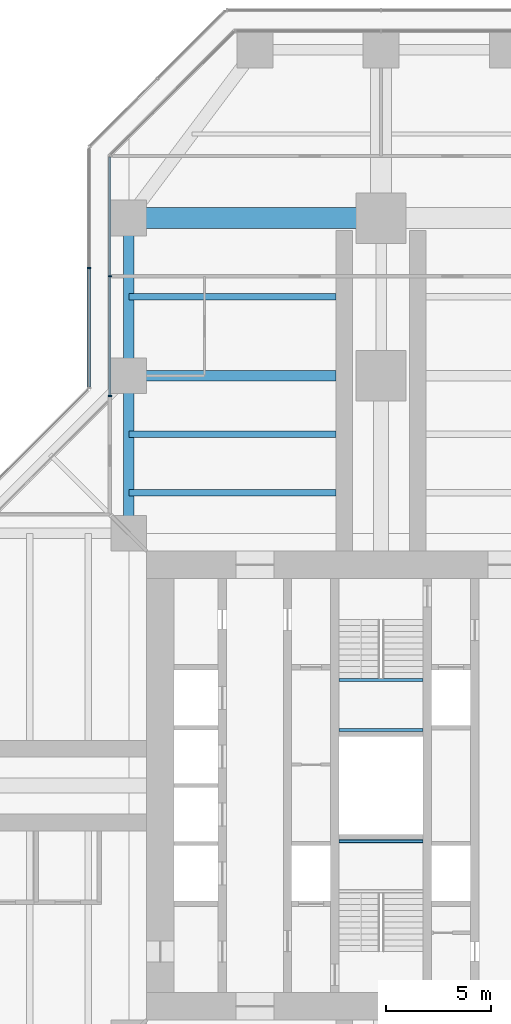
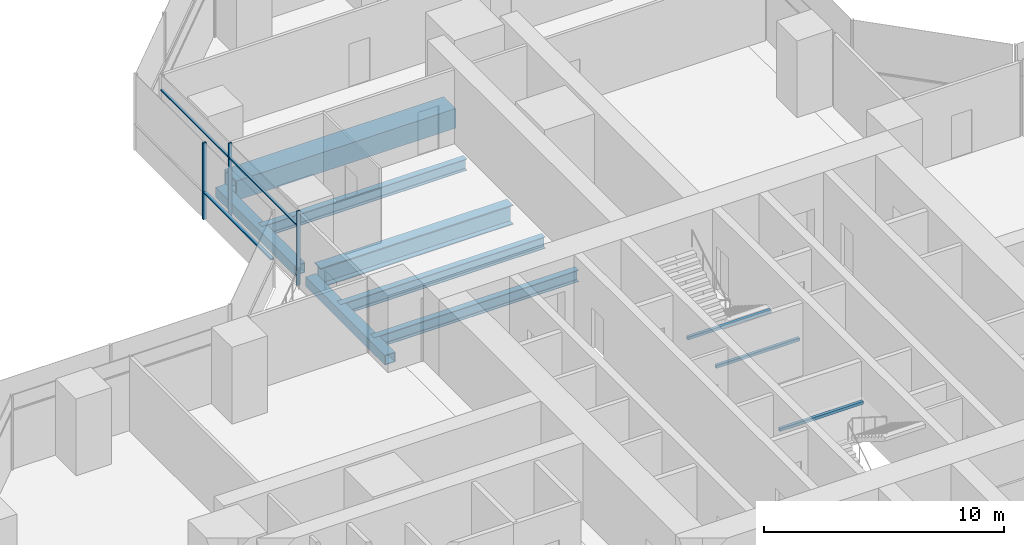
# One storey, part 9 of 22: 10 beams, 6 members, 2 elements without a shape of their own.
"""IFC4 building model written with IfcOpenShell, lengths in metres."""

from ifc_helpers import new_model, si_unit, direction, frame, origin, origin_2d, place, context, subcontext, project, spatial, rectangle, hollow_rectangle, i_section, extrude, material, material_profile, profile_set, type_object, element, aggregate, save


model = new_model("IFC4")

# Units and contexts
model_context = context("Model", 3, precision=1e-05, world=origin(), true_north=direction((0.0, 1.0)))
body_context = subcontext(model_context, "Body", "Model", "MODEL_VIEW")
ifc_project = project(units=[si_unit("LENGTHUNIT", "METRE"), si_unit("AREAUNIT", "SQUARE_METRE"), si_unit("VOLUMEUNIT", "CUBIC_METRE"), si_unit("PLANEANGLEUNIT", "RADIAN"), si_unit("MASSUNIT", "GRAM", prefix="KILO")], contexts=[model_context])

# Site, building, storey
site_placement = place(None, origin())
site = spatial("IfcSite", under=ifc_project, at=site_placement, CompositionType="ELEMENT")
building_placement = place(site_placement, origin())
building = spatial("IfcBuilding", under=site, at=building_placement, Name="Mizan Broadcast Tower", CompositionType="ELEMENT")
storey_placement = place(building_placement, frame((0.0, 0.0, 47.39990234375)))
storey = spatial("IfcBuildingStorey", under=building, at=storey_placement, Name="L08", CompositionType="ELEMENT", Elevation=47.39990234375)

# Beams
ifc_material_1 = material(Name="Steel S355", Category="steel")
ifc_material_profile_1 = material_profile(ifc_material_1, hollow_rectangle(XDim=0.5, YDim=0.5, WallThickness=0.030029296875, at=origin_2d()), Name="BOX 500x500x30")
ifc_profile_set_1 = profile_set([ifc_material_profile_1], Name="Steel S355")
beam_type_1 = type_object("IfcBeamType", Name="EDGE BEAM BOX 500x500x30", PredefinedType="SPANDREL", material=ifc_profile_set_1)
for number, where, z_axis, x_axis, name in (
    (1, (-12.0, 12.449951171875, -0.3798828125), (0.0, 1.0, 0.0), (-1.0, 0.0, 0.0), "Edge beam BOX 500x500x30 L08 north arm"),
    (2, (-12.0, 19.949951171875, -0.3798828125), (0.0, 1.0, 0.0), (-1.0, 0.0, 0.0), "Edge beam BOX 500x500x30 L08 north arm"),
):
    element("IfcBeam", number, at=place(storey_placement, frame(where, z_axis=z_axis, x_axis=x_axis)), inside=storey, type_object=beam_type_1, Name=name, PredefinedType="SPANDREL", context=body_context, shape_type="SweptSolid", body=[
        extrude(hollow_rectangle(XDim=0.5, YDim=0.5, WallThickness=0.030029296875, at=origin_2d()), origin(), (0.0, 0.0, 1.0), 6.60009765625),
    ])
ifc_material_2 = material(Name="Steel S460", Category="steel")
ifc_material_profile_2 = material_profile(ifc_material_2, hollow_rectangle(XDim=1.0, YDim=1.0, WallThickness=0.080078125, at=origin_2d()), Name="BOX 1000x1000x80")
ifc_profile_set_2 = profile_set([ifc_material_profile_2], Name="Steel S460")
beam_type_2 = type_object("IfcBeamType", Name="GIRDER BOX 1000x1000x80", PredefinedType="BEAM", material=ifc_profile_set_2)
beam_1_placement = place(storey_placement, frame((-11.280029296875, 27.0, -0.6298828125), z_axis=(1.0, 0.0, 0.0), x_axis=(0.0, 1.0, 0.0)))
element("IfcBeam", 3, at=beam_1_placement, inside=storey, type_object=beam_type_2, Name="Girder BOX 1000x1000x80 L08 north arm", PredefinedType="BEAM", context=body_context, shape_type="SweptSolid", body=[
    extrude(hollow_rectangle(XDim=1.0, YDim=1.0, WallThickness=0.080078125, at=origin_2d()), origin(), (0.0, 0.0, 1.0), 10.56005859375),
])
ifc_material_3 = material(Name="Steel S460", Category="steel")
ifc_material_profile_3 = material_profile(ifc_material_3, i_section(OverallWidth=0.5, OverallDepth=1.0, WebThickness=0.02490234375, FlangeThickness=0.050048828125, at=origin_2d()), Name="WPG 1000x500")
ifc_profile_set_3 = profile_set([ifc_material_profile_3], Name="Steel S460")
beam_type_3 = type_object("IfcBeamType", Name="GIRDER WPG 1000x500", PredefinedType="BEAM", material=ifc_profile_set_3)
beam_2_placement = place(storey_placement, frame((-11.408935546875, 19.5, -0.6298828125), z_axis=(1.0, 0.0, 0.0), x_axis=(0.0, 1.0, 0.0)))
element("IfcBeam", 4, at=beam_2_placement, inside=storey, type_object=beam_type_3, Name="Girder WPG 1000x500 L08 north arm", PredefinedType="BEAM", context=body_context, shape_type="SweptSolid", body=[
    extrude(i_section(OverallWidth=0.5, OverallDepth=1.0, WebThickness=0.02490234375, FlangeThickness=0.050048828125, at=origin_2d()), origin(), (0.0, 0.0, 1.0), 9.259033203125),
])

# Curtain wall, members
ifc_material_4 = material(Name="Aluminium framed glazing", Category="aluminium")
curtain_wall_type_1 = type_object("IfcCurtainWallType", Name="INNER SKIN LOW ZONE", PredefinedType="USERDEFINED", material=ifc_material_4)
curtain_wall_1_placement = place(storey_placement, origin())
curtain_wall_1 = element("IfcCurtainWall", 5, at=curtain_wall_1_placement, inside=storey, type_object=curtain_wall_type_1, Name="Inner skin low zone L08 N side", ObjectType="INNER SKIN LOW ZONE", PredefinedType="USERDEFINED")
ifc_material_5 = material(Name="Aluminium, pale anodised", Category="aluminium")
ifc_material_profile_4 = material_profile(ifc_material_5, rectangle(XDim=0.159912109375, YDim=0.06005859375, at=origin_2d()), Name="MULLION 160x60")
ifc_profile_set_4 = profile_set([ifc_material_profile_4], Name="Aluminium, pale anodised")
member_type_1 = type_object("IfcMemberType", Name="INNER SKIN MULLION 60x160", PredefinedType="MULLION", material=ifc_profile_set_4)
member_1_placement = place(storey_placement, frame((-12.89990234375, 24.229248046875, 0.0), z_axis=(0.0, 0.0, 1.0), x_axis=(1.0, 0.0, 0.0)))
member_1 = element("IfcMember", 6, at=member_1_placement, type_object=member_type_1, Name="Inner skin low zone L08 N side mullion 2", PredefinedType="MULLION", context=body_context, shape_type="SweptSolid", body=[
    extrude(rectangle(XDim=0.159912109375, YDim=0.06005859375, at=origin_2d()), origin(), (0.0, 0.0, 1.0), 3.77001953125),
])
member_2_placement = place(storey_placement, frame((-12.89990234375, 18.530029296875, 0.0), z_axis=(0.0, 0.0, 1.0), x_axis=(1.0, 0.0, 0.0)))
member_2 = element("IfcMember", 7, at=member_2_placement, type_object=member_type_1, Name="Inner skin low zone L08 N side mullion 3", PredefinedType="MULLION", context=body_context, shape_type="SweptSolid", body=[
    extrude(rectangle(XDim=0.159912109375, YDim=0.06005859375, at=origin_2d()), origin(), (0.0, 0.0, 1.0), 3.77001953125),
])
ifc_material_6 = material(Name="Aluminium, pale anodised", Category="aluminium")
ifc_material_profile_5 = material_profile(ifc_material_6, rectangle(XDim=0.1201171875, YDim=0.06005859375, at=origin_2d()), Name="TRANSOM 120x60")
ifc_profile_set_5 = profile_set([ifc_material_profile_5], Name="Aluminium, pale anodised")
member_type_2 = type_object("IfcMemberType", Name="INNER SKIN TRANSOM 60x120", PredefinedType="USERDEFINED", material=ifc_profile_set_5)
member_3_placement = place(storey_placement, frame((-12.89990234375, 29.898681640625, 3.030029296875), z_axis=(0.0, -1.0, 0.0), x_axis=(1.0, 0.0, 0.0)))
member_3 = element("IfcMember", 8, at=member_3_placement, type_object=member_type_2, Name="Inner skin low zone L08 N side transom 1.1", ObjectType="TRANSOM", PredefinedType="USERDEFINED", context=body_context, shape_type="SweptSolid", body=[
    extrude(rectangle(XDim=0.1201171875, YDim=0.06005859375, at=origin_2d()), origin(), (0.0, 0.0, 1.0), 5.639404296875),
])
member_4_placement = place(storey_placement, frame((-12.89990234375, 24.19921875, 3.030029296875), z_axis=(0.0, -1.0, 0.0), x_axis=(1.0, 0.0, 0.0)))
member_4 = element("IfcMember", 9, at=member_4_placement, type_object=member_type_2, Name="Inner skin low zone L08 N side transom 2.1", ObjectType="TRANSOM", PredefinedType="USERDEFINED", context=body_context, shape_type="SweptSolid", body=[
    extrude(rectangle(XDim=0.1201171875, YDim=0.06005859375, at=origin_2d()), origin(), (0.0, 0.0, 1.0), 5.63916015625),
])
aggregate(curtain_wall_1, [member_1, member_2, member_3, member_4])

# Beams
ifc_material_7 = material(Name="Steel S355", Category="steel")
ifc_material_profile_6 = material_profile(ifc_material_7, hollow_rectangle(XDim=0.14990234375, YDim=0.14990234375, WallThickness=0.008056640625, InnerFilletRadius=0.008056640625, OuterFilletRadius=0.011962890625, at=origin_2d()), Name="SHS 150x150x8")
ifc_profile_set_6 = profile_set([ifc_material_profile_6], Name="Steel S355")
beam_type_4 = type_object("IfcBeamType", Name="LANDING TRIMMER SHS 150x150x8", PredefinedType="BEAM", material=ifc_profile_set_6)
for number, where, z_axis, x_axis, name in (
    (10, (-2.0, -2.64990234375, 1.675048828125), (1.0, 0.0, 0.0), (0.0, 1.0, 0.0), "Stair A landing trimmer L08"),
    (11, (2.0, 5.02490234375, 1.675048828125), (-1.0, 0.0, 0.0), (0.0, -1.0, 0.0), "Stair B landing trimmer L08"),
    (12, (2.0, 2.64990234375, 1.675048828125), (-1.0, 0.0, 0.0), (0.0, -1.0, 0.0), "Stair B landing trimmer L08"),
):
    element("IfcBeam", number, at=place(storey_placement, frame(where, z_axis=z_axis, x_axis=x_axis)), inside=storey, type_object=beam_type_4, Name=name, PredefinedType="BEAM", context=body_context, shape_type="SweptSolid", body=[
        extrude(hollow_rectangle(XDim=0.14990234375, YDim=0.14990234375, WallThickness=0.008056640625, InnerFilletRadius=0.008056640625, OuterFilletRadius=0.011962890625, at=origin_2d()), origin(), (0.0, 0.0, 1.0), 4.0),
    ])

# Curtain wall, members
ifc_material_8 = material(Name="Aluminium framed glazing", Category="aluminium")
curtain_wall_type_2 = type_object("IfcCurtainWallType", Name="OUTER SKIN", PredefinedType="USERDEFINED", material=ifc_material_8)
curtain_wall_2_placement = place(storey_placement, origin())
curtain_wall_2 = element("IfcCurtainWall", 13, at=curtain_wall_2_placement, inside=storey, type_object=curtain_wall_type_2, Name="Outer skin L08 N side", ObjectType="OUTER SKIN", PredefinedType="USERDEFINED")
ifc_material_9 = material(Name="Aluminium, pale anodised", Category="aluminium")
ifc_material_profile_7 = material_profile(ifc_material_9, rectangle(XDim=0.159912109375, YDim=0.080078125, at=origin_2d()), Name="MULLION 160x80")
ifc_profile_set_7 = profile_set([ifc_material_profile_7], Name="Aluminium, pale anodised")
member_type_3 = type_object("IfcMemberType", Name="OUTER SKIN MULLION 80x160", PredefinedType="MULLION", material=ifc_profile_set_7)
member_5_placement = place(storey_placement, frame((-13.89990234375, 24.622802734375, 0.0), z_axis=(0.0, 0.0, 1.0), x_axis=(1.0, 0.0, 0.0)))
member_5 = element("IfcMember", 14, at=member_5_placement, type_object=member_type_3, Name="Outer skin L08 N side mullion 2", PredefinedType="MULLION", context=body_context, shape_type="SweptSolid", body=[
    extrude(rectangle(XDim=0.159912109375, YDim=0.080078125, at=origin_2d()), origin(), (0.0, 0.0, 1.0), 3.900146484375),
])
ifc_material_10 = material(Name="Aluminium, pale anodised", Category="aluminium")
ifc_material_profile_8 = material_profile(ifc_material_10, rectangle(XDim=0.159912109375, YDim=0.06005859375, at=origin_2d()), Name="TRANSOM 160x60")
ifc_profile_set_8 = profile_set([ifc_material_profile_8], Name="Aluminium, pale anodised")
member_type_4 = type_object("IfcMemberType", Name="OUTER SKIN TRANSOM 60x160", PredefinedType="USERDEFINED", material=ifc_profile_set_8)
member_6_placement = place(storey_placement, frame((-13.89990234375, 24.582763671875, 1.400146484375), z_axis=(0.0, -1.0, 0.0), x_axis=(1.0, 0.0, 0.0)))
member_6 = element("IfcMember", 15, at=member_6_placement, type_object=member_type_4, Name="Outer skin L08 N side transom 2.1", ObjectType="TRANSOM", PredefinedType="USERDEFINED", context=body_context, shape_type="SweptSolid", body=[
    extrude(rectangle(XDim=0.159912109375, YDim=0.06005859375, at=origin_2d()), origin(), (0.0, 0.0, 1.0), 5.6298828125),
])
aggregate(curtain_wall_2, [member_5, member_6])

# Beams
ifc_material_11 = material(Name="Steel S355", Category="steel")
ifc_material_profile_9 = material_profile(ifc_material_11, i_section(OverallWidth=0.300048828125, OverallDepth=0.590087890625, WebThickness=0.012939453125, FlangeThickness=0.02490234375, FilletRadius=0.027099609375, at=origin_2d()), Name="HEA 600")
ifc_profile_set_9 = profile_set([ifc_material_profile_9], Name="Steel S355")
beam_type_5 = type_object("IfcBeamType", Name="SECONDARY BEAM HEA 600", PredefinedType="JOIST", material=ifc_profile_set_9)
for number, where, z_axis, x_axis, name in (
    (16, (-12.0, 13.933349609375, -0.4248046875), (1.0, 0.0, 0.0), (0.0, 1.0, 0.0), "Secondary beam HEA 600 L08 north arm"),
    (17, (-12.0, 16.716552734375, -0.4248046875), (1.0, 0.0, 0.0), (0.0, 1.0, 0.0), "Secondary beam HEA 600 L08 north arm"),
    (18, (-12.0, 23.25, -0.4248046875), (1.0, 0.0, 0.0), (0.0, 1.0, 0.0), "Secondary beam HEA 600 L08 north arm"),
):
    element("IfcBeam", number, at=place(storey_placement, frame(where, z_axis=z_axis, x_axis=x_axis)), inside=storey, type_object=beam_type_5, Name=name, PredefinedType="JOIST", context=body_context, shape_type="SweptSolid", body=[
        extrude(i_section(OverallWidth=0.300048828125, OverallDepth=0.590087890625, WebThickness=0.012939453125, FlangeThickness=0.02490234375, FilletRadius=0.027099609375, at=origin_2d()), origin(), (0.0, 0.0, 1.0), 9.85009765625),
    ])

save(model, "model.ifc")
